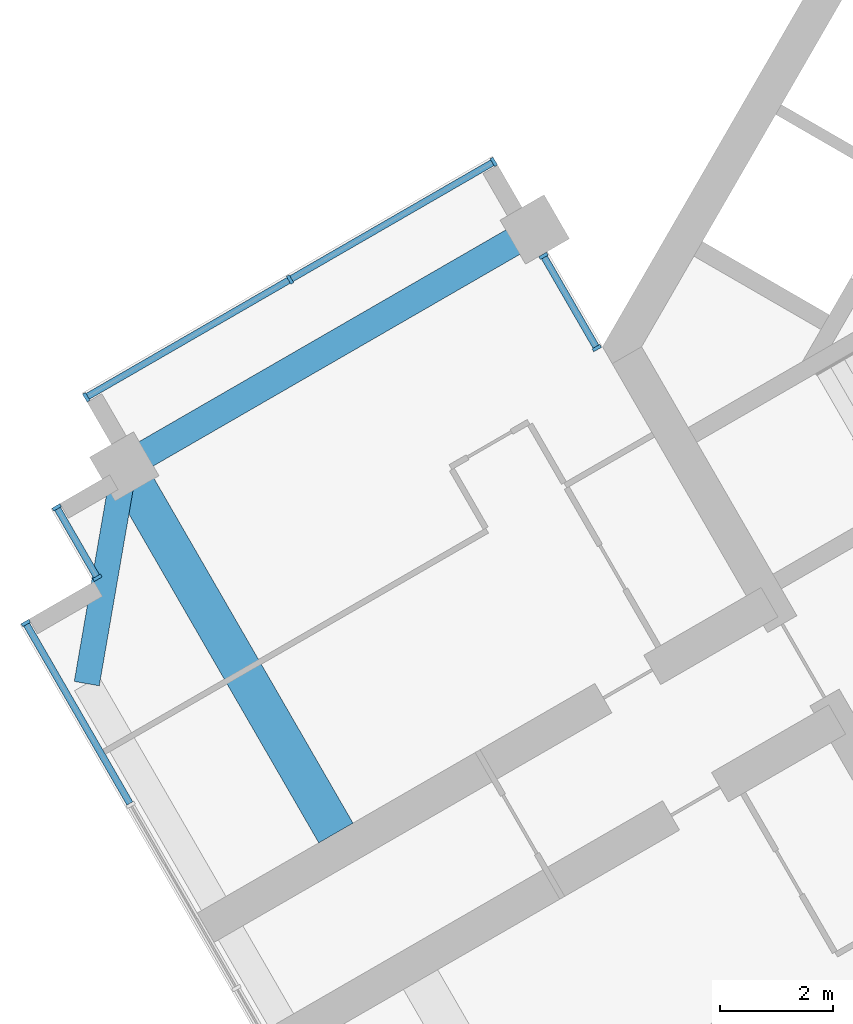
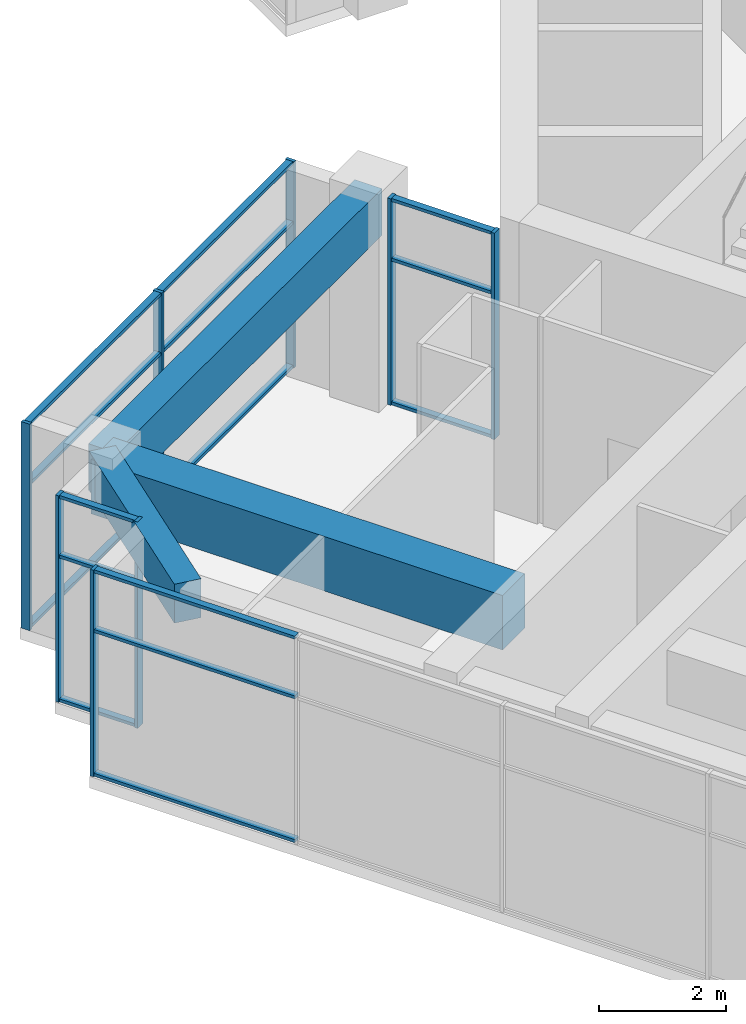
# One storey, part 3 of 13: 23 members, 3 beams, 4 elements without a shape of their own.
"""IFC4 building model written with IfcOpenShell, lengths in metres."""

from ifc_helpers import new_model, si_unit, direction, frame, origin, origin_2d, place, context, subcontext, project, spatial, rectangle, extrude, material, material_profile, profile_set, type_object, element, aggregate, save


model = new_model("IFC4")

# Units and contexts
model_context = context("Model", 3, precision=1e-05, world=origin(), true_north=direction((0.0, 1.0)))
body_context = subcontext(model_context, "Body", "Model", "MODEL_VIEW")
ifc_project = project(units=[si_unit("LENGTHUNIT", "METRE"), si_unit("AREAUNIT", "SQUARE_METRE"), si_unit("VOLUMEUNIT", "CUBIC_METRE"), si_unit("PLANEANGLEUNIT", "RADIAN"), si_unit("MASSUNIT", "GRAM", prefix="KILO")], contexts=[model_context])

# Site, building, storey
site_placement = place(None, origin())
site = spatial("IfcSite", under=ifc_project, at=site_placement, CompositionType="ELEMENT")
building_placement = place(site_placement, origin())
building = spatial("IfcBuilding", under=site, at=building_placement, Name="Impinga Residences", CompositionType="ELEMENT")
storey_placement = place(building_placement, frame((0.0, 0.0, 287.35009765625)))
storey = spatial("IfcBuildingStorey", under=building, at=storey_placement, Name="L72", CompositionType="ELEMENT", Elevation=287.35009765625)

# Beams
ifc_material_1 = material(Name="Concrete C60/75", Category="concrete")
ifc_material_profile_1 = material_profile(ifc_material_1, rectangle(XDim=0.449951171875, YDim=0.75, at=origin_2d()), Name="RC 450x750")
ifc_profile_set_1 = profile_set([ifc_material_profile_1], Name="Concrete C60/75")
beam_type_1 = type_object("IfcBeamType", Name="CB1 450x750 wing end cantilever beam", PredefinedType="BEAM", material=ifc_profile_set_1)
beam_1_placement = place(storey_placement, frame((-21.674560546875, -2.12158203125, 3.60498046875), z_axis=(-0.170296298948, -0.985392901621, 0.0), x_axis=(0.985392901621, -0.170296298948, 0.0)))
element("IfcBeam", 1, at=beam_1_placement, inside=storey, type_object=beam_type_1, Name="Beam CB1 WE W2-WX level L73", PredefinedType="BEAM", context=body_context, shape_type="SweptSolid", body=[
    extrude(rectangle(XDim=0.449951171875, YDim=0.75, at=origin_2d()), origin(), (0.0, 0.0, 1.0), 3.9052734375),
])
ifc_material_profile_2 = material_profile(ifc_material_1, rectangle(XDim=0.699951171875, YDim=1.050048828125, at=origin_2d()), Name="RC 700x1050")
ifc_profile_set_2 = profile_set([ifc_material_profile_2], Name="Concrete C60/75")
beam_type_2 = type_object("IfcBeamType", Name="CG1 700x1050 cross girder on a wing bay line", PredefinedType="BEAM", material=ifc_profile_set_2)
beam_2_placement = place(storey_placement, frame((-17.924560546875, -8.61669921875, 3.454833984375), z_axis=(-0.500004234368, 0.866022959057, 0.0), x_axis=(-0.866022959057, -0.500004234368, 0.0)))
element("IfcBeam", 2, at=beam_2_placement, inside=storey, type_object=beam_type_2, Name="Beam CG1 W2 WC/WF level L73", PredefinedType="BEAM", context=body_context, shape_type="SweptSolid", body=[
    extrude(rectangle(XDim=0.699951171875, YDim=1.050048828125, at=origin_2d()), origin(), (0.0, 0.0, 1.0), 7.5),
])

# Curtain wall, member
ifc_material_2 = material(Name="Aluminium stick curtain wall", Category="aluminium")
curtain_wall_type = type_object("IfcCurtainWallType", Name="CW3 penthouse curtain wall", PredefinedType="USERDEFINED", material=ifc_material_2)
curtain_wall_1_placement = place(storey_placement, origin())
curtain_wall_1 = element("IfcCurtainWall", 3, at=curtain_wall_1_placement, inside=storey, type_object=curtain_wall_type, Name="Curtain wall CW3 L72", ObjectType="STICK CURTAIN WALL", PredefinedType="USERDEFINED")
ifc_material_3 = material(Name="Aluminium mullion", Category="aluminium")
ifc_material_profile_3 = material_profile(ifc_material_3, rectangle(XDim=0.06005859375, YDim=0.159912109375, at=origin_2d()), Name="60x160 mullion")
ifc_profile_set_3 = profile_set([ifc_material_profile_3], Name="Aluminium mullion")
member_type_1 = type_object("IfcMemberType", Name="CW3-M mullion 60x160", PredefinedType="MULLION", material=ifc_profile_set_3)
member_1_placement = place(storey_placement, frame((-23.421142578125, -4.896484375, 0.0), z_axis=(0.0, 0.0, 1.0), x_axis=(-0.500000001632, 0.866025402842, 0.0)))
member_1 = element("IfcMember", 4, at=member_1_placement, type_object=member_type_1, Name="CW3 mullion 5", PredefinedType="MULLION", context=body_context, shape_type="SweptSolid", body=[
    extrude(rectangle(XDim=0.06005859375, YDim=0.159912109375, at=origin_2d()), origin(), (0.0, 0.0, 1.0), 3.97998046875),
])

# Curtain wall, members
curtain_wall_2_placement = place(storey_placement, origin())
curtain_wall_2 = element("IfcCurtainWall", 5, at=curtain_wall_2_placement, inside=storey, type_object=curtain_wall_type, Name="Curtain wall CW3 L72", ObjectType="STICK CURTAIN WALL", PredefinedType="USERDEFINED")
member_2_placement = place(storey_placement, frame((-22.152099609375, -4.094482421875, 0.0), z_axis=(0.0, 0.0, 1.0), x_axis=(-0.500000030502, 0.866025386174, 0.0)))
member_2 = element("IfcMember", 6, at=member_2_placement, type_object=member_type_1, Name="CW3 mullion 1", PredefinedType="MULLION", context=body_context, shape_type="SweptSolid", body=[
    extrude(rectangle(XDim=0.06005859375, YDim=0.159912109375, at=origin_2d()), origin(), (0.0, 0.0, 1.0), 3.97998046875),
])
member_3_placement = place(storey_placement, frame((-22.8720703125, -2.847412109375, 0.0), z_axis=(0.0, 0.0, 1.0), x_axis=(-0.500000030502, 0.866025386174, 0.0)))
member_3 = element("IfcMember", 7, at=member_3_placement, type_object=member_type_1, Name="CW3 mullion 2", PredefinedType="MULLION", context=body_context, shape_type="SweptSolid", body=[
    extrude(rectangle(XDim=0.06005859375, YDim=0.159912109375, at=origin_2d()), origin(), (0.0, 0.0, 1.0), 3.97998046875),
])

curtain_wall_3_placement = place(storey_placement, origin())
curtain_wall_3 = element("IfcCurtainWall", 8, at=curtain_wall_3_placement, inside=storey, type_object=curtain_wall_type, Name="Curtain wall CW3 L72", ObjectType="STICK CURTAIN WALL", PredefinedType="USERDEFINED")
member_4_placement = place(storey_placement, frame((-22.3486328125, -0.89404296875, 0.0), z_axis=(0.0, 0.0, 1.0), x_axis=(0.866025392126, 0.500000020194, 0.0)))
member_4 = element("IfcMember", 9, at=member_4_placement, type_object=member_type_1, Name="CW3 mullion 1", PredefinedType="MULLION", context=body_context, shape_type="SweptSolid", body=[
    extrude(rectangle(XDim=0.06005859375, YDim=0.159912109375, at=origin_2d()), origin(), (0.0, 0.0, 1.0), 3.97998046875),
])
member_5_placement = place(storey_placement, frame((-18.7373046875, 1.19091796875, 0.0), z_axis=(0.0, 0.0, 1.0), x_axis=(0.866025392126, 0.500000020194, 0.0)))
member_5 = element("IfcMember", 10, at=member_5_placement, type_object=member_type_1, Name="CW3 mullion 2", PredefinedType="MULLION", context=body_context, shape_type="SweptSolid", body=[
    extrude(rectangle(XDim=0.06005859375, YDim=0.159912109375, at=origin_2d()), origin(), (0.0, 0.0, 1.0), 3.97998046875),
])
member_6_placement = place(storey_placement, frame((-15.1259765625, 3.27587890625, 0.0), z_axis=(0.0, 0.0, 1.0), x_axis=(0.866025392126, 0.500000020194, 0.0)))
member_6 = element("IfcMember", 11, at=member_6_placement, type_object=member_type_1, Name="CW3 mullion 3", PredefinedType="MULLION", context=body_context, shape_type="SweptSolid", body=[
    extrude(rectangle(XDim=0.06005859375, YDim=0.159912109375, at=origin_2d()), origin(), (0.0, 0.0, 1.0), 3.97998046875),
])

curtain_wall_4_placement = place(storey_placement, origin())
curtain_wall_4 = element("IfcCurtainWall", 12, at=curtain_wall_4_placement, inside=storey, type_object=curtain_wall_type, Name="Curtain wall CW3 L72", ObjectType="STICK CURTAIN WALL", PredefinedType="USERDEFINED")
member_7_placement = place(storey_placement, frame((-14.2451171875, 1.610107421875, 0.0), z_axis=(0.0, 0.0, 1.0), x_axis=(0.50000010257, -0.866025344565, 0.0)))
member_7 = element("IfcMember", 13, at=member_7_placement, type_object=member_type_1, Name="CW3 mullion 1", PredefinedType="MULLION", context=body_context, shape_type="SweptSolid", body=[
    extrude(rectangle(XDim=0.06005859375, YDim=0.159912109375, at=origin_2d()), origin(), (0.0, 0.0, 1.0), 3.97998046875),
])
member_8_placement = place(storey_placement, frame((-13.301513671875, -0.02392578125, 0.0), z_axis=(0.0, 0.0, 1.0), x_axis=(0.50000010257, -0.866025344565, 0.0)))
member_8 = element("IfcMember", 14, at=member_8_placement, type_object=member_type_1, Name="CW3 mullion 2", PredefinedType="MULLION", context=body_context, shape_type="SweptSolid", body=[
    extrude(rectangle(XDim=0.06005859375, YDim=0.159912109375, at=origin_2d()), origin(), (0.0, 0.0, 1.0), 3.97998046875),
])

# Member
ifc_material_4 = material(Name="Aluminium transom", Category="aluminium")
ifc_material_profile_4 = material_profile(ifc_material_4, rectangle(XDim=0.06005859375, YDim=0.1201171875, at=origin_2d()), Name="60x120 transom")
ifc_profile_set_4 = profile_set([ifc_material_profile_4], Name="Aluminium transom")
member_type_2 = type_object("IfcMemberType", Name="CW3-T transom 60x120", PredefinedType="USERDEFINED", material=ifc_profile_set_4)
member_9_placement = place(storey_placement, frame((-21.576171875, -8.09228515625, 0.02978515625), z_axis=(-0.499963050397, 0.866046735597, 0.0), x_axis=(0.0, 0.0, 1.0)))
member_9 = element("IfcMember", 15, at=member_9_placement, type_object=member_type_2, Name="CW3 transom 4.1", ObjectType="TRANSOM", PredefinedType="USERDEFINED", context=body_context, shape_type="SweptSolid", body=[
    extrude(rectangle(XDim=0.06005859375, YDim=0.1201171875, at=origin_2d()), origin(), (0.0, 0.0, 1.0), 3.659912109375),
])

member_10_placement = place(storey_placement, frame((-21.576171875, -8.09228515625, 2.7998046875), z_axis=(-0.499963050397, 0.866046735597, 0.0), x_axis=(0.0, 0.0, 1.0)))
member_10 = element("IfcMember", 16, at=member_10_placement, type_object=member_type_2, Name="CW3 transom 4.2", ObjectType="TRANSOM", PredefinedType="USERDEFINED", context=body_context, shape_type="SweptSolid", body=[
    extrude(rectangle(XDim=0.06005859375, YDim=0.1201171875, at=origin_2d()), origin(), (0.0, 0.0, 1.0), 3.659912109375),
])

member_11_placement = place(storey_placement, frame((-21.576171875, -8.09228515625, 3.949951171875), z_axis=(-0.499963050397, 0.866046735597, 0.0), x_axis=(0.0, 0.0, 1.0)))
member_11 = element("IfcMember", 17, at=member_11_placement, type_object=member_type_2, Name="CW3 transom 4.3", ObjectType="TRANSOM", PredefinedType="USERDEFINED", context=body_context, shape_type="SweptSolid", body=[
    extrude(rectangle(XDim=0.06005859375, YDim=0.1201171875, at=origin_2d()), origin(), (0.0, 0.0, 1.0), 3.659912109375),
])

aggregate(curtain_wall_1, [member_1, member_9, member_10, member_11])

member_12_placement = place(storey_placement, frame((-22.1669921875, -4.068603515625, 0.02978515625), z_axis=(-0.499982807329, 0.86603532975, 0.0), x_axis=(0.0, 0.0, 1.0)))
member_12 = element("IfcMember", 18, at=member_12_placement, type_object=member_type_2, Name="CW3 transom 1.1", ObjectType="TRANSOM", PredefinedType="USERDEFINED", context=body_context, shape_type="SweptSolid", body=[
    extrude(rectangle(XDim=0.06005859375, YDim=0.1201171875, at=origin_2d()), origin(), (0.0, 0.0, 1.0), 1.3798828125),
])

member_13_placement = place(storey_placement, frame((-22.1669921875, -4.068603515625, 2.7998046875), z_axis=(-0.499982807329, 0.86603532975, 0.0), x_axis=(0.0, 0.0, 1.0)))
member_13 = element("IfcMember", 19, at=member_13_placement, type_object=member_type_2, Name="CW3 transom 1.2", ObjectType="TRANSOM", PredefinedType="USERDEFINED", context=body_context, shape_type="SweptSolid", body=[
    extrude(rectangle(XDim=0.06005859375, YDim=0.1201171875, at=origin_2d()), origin(), (0.0, 0.0, 1.0), 1.3798828125),
])

member_14_placement = place(storey_placement, frame((-22.1669921875, -4.068603515625, 3.949951171875), z_axis=(-0.499982807329, 0.86603532975, 0.0), x_axis=(0.0, 0.0, 1.0)))
member_14 = element("IfcMember", 20, at=member_14_placement, type_object=member_type_2, Name="CW3 transom 1.3", ObjectType="TRANSOM", PredefinedType="USERDEFINED", context=body_context, shape_type="SweptSolid", body=[
    extrude(rectangle(XDim=0.06005859375, YDim=0.1201171875, at=origin_2d()), origin(), (0.0, 0.0, 1.0), 1.3798828125),
])

aggregate(curtain_wall_2, [member_2, member_3, member_12, member_13, member_14])

member_15_placement = place(storey_placement, frame((-22.32275390625, -0.879150390625, 0.02978515625), z_axis=(0.866045128991, 0.499965833383, 0.0), x_axis=(0.0, 0.0, 1.0)))
member_15 = element("IfcMember", 21, at=member_15_placement, type_object=member_type_2, Name="CW3 transom 1.1", ObjectType="TRANSOM", PredefinedType="USERDEFINED", context=body_context, shape_type="SweptSolid", body=[
    extrude(rectangle(XDim=0.06005859375, YDim=0.1201171875, at=origin_2d()), origin(), (0.0, 0.0, 1.0), 4.110107421875),
])

member_16_placement = place(storey_placement, frame((-22.32275390625, -0.879150390625, 2.7998046875), z_axis=(0.866045128991, 0.499965833383, 0.0), x_axis=(0.0, 0.0, 1.0)))
member_16 = element("IfcMember", 22, at=member_16_placement, type_object=member_type_2, Name="CW3 transom 1.2", ObjectType="TRANSOM", PredefinedType="USERDEFINED", context=body_context, shape_type="SweptSolid", body=[
    extrude(rectangle(XDim=0.06005859375, YDim=0.1201171875, at=origin_2d()), origin(), (0.0, 0.0, 1.0), 4.110107421875),
])

member_17_placement = place(storey_placement, frame((-22.32275390625, -0.879150390625, 3.949951171875), z_axis=(0.866045128991, 0.499965833383, 0.0), x_axis=(0.0, 0.0, 1.0)))
member_17 = element("IfcMember", 23, at=member_17_placement, type_object=member_type_2, Name="CW3 transom 1.3", ObjectType="TRANSOM", PredefinedType="USERDEFINED", context=body_context, shape_type="SweptSolid", body=[
    extrude(rectangle(XDim=0.06005859375, YDim=0.1201171875, at=origin_2d()), origin(), (0.0, 0.0, 1.0), 4.110107421875),
])

member_18_placement = place(storey_placement, frame((-18.71142578125, 1.205810546875, 0.02978515625), z_axis=(0.866019409031, 0.500010383074, 0.0), x_axis=(0.0, 0.0, 1.0)))
member_18 = element("IfcMember", 24, at=member_18_placement, type_object=member_type_2, Name="CW3 transom 2.1", ObjectType="TRANSOM", PredefinedType="USERDEFINED", context=body_context, shape_type="SweptSolid", body=[
    extrude(rectangle(XDim=0.06005859375, YDim=0.1201171875, at=origin_2d()), origin(), (0.0, 0.0, 1.0), 4.1103515625),
])

member_19_placement = place(storey_placement, frame((-18.71142578125, 1.205810546875, 2.7998046875), z_axis=(0.866019409031, 0.500010383074, 0.0), x_axis=(0.0, 0.0, 1.0)))
member_19 = element("IfcMember", 25, at=member_19_placement, type_object=member_type_2, Name="CW3 transom 2.2", ObjectType="TRANSOM", PredefinedType="USERDEFINED", context=body_context, shape_type="SweptSolid", body=[
    extrude(rectangle(XDim=0.06005859375, YDim=0.1201171875, at=origin_2d()), origin(), (0.0, 0.0, 1.0), 4.1103515625),
])

member_20_placement = place(storey_placement, frame((-18.71142578125, 1.205810546875, 3.949951171875), z_axis=(0.866019409031, 0.500010383074, 0.0), x_axis=(0.0, 0.0, 1.0)))
member_20 = element("IfcMember", 26, at=member_20_placement, type_object=member_type_2, Name="CW3 transom 2.3", ObjectType="TRANSOM", PredefinedType="USERDEFINED", context=body_context, shape_type="SweptSolid", body=[
    extrude(rectangle(XDim=0.06005859375, YDim=0.1201171875, at=origin_2d()), origin(), (0.0, 0.0, 1.0), 4.1103515625),
])

aggregate(curtain_wall_3, [member_4, member_5, member_6, member_15, member_16, member_17, member_18, member_19, member_20])

member_21_placement = place(storey_placement, frame((-14.230224609375, 1.584228515625, 0.02978515625), z_axis=(0.500019332402, -0.866014241929, 0.0), x_axis=(0.0, 0.0, 1.0)))
member_21 = element("IfcMember", 27, at=member_21_placement, type_object=member_type_2, Name="CW3 transom 1.1", ObjectType="TRANSOM", PredefinedType="USERDEFINED", context=body_context, shape_type="SweptSolid", body=[
    extrude(rectangle(XDim=0.06005859375, YDim=0.1201171875, at=origin_2d()), origin(), (0.0, 0.0, 1.0), 1.8271484375),
])

member_22_placement = place(storey_placement, frame((-14.230224609375, 1.584228515625, 2.7998046875), z_axis=(0.500019332402, -0.866014241929, 0.0), x_axis=(0.0, 0.0, 1.0)))
member_22 = element("IfcMember", 28, at=member_22_placement, type_object=member_type_2, Name="CW3 transom 1.2", ObjectType="TRANSOM", PredefinedType="USERDEFINED", context=body_context, shape_type="SweptSolid", body=[
    extrude(rectangle(XDim=0.06005859375, YDim=0.1201171875, at=origin_2d()), origin(), (0.0, 0.0, 1.0), 1.8271484375),
])

member_23_placement = place(storey_placement, frame((-14.230224609375, 1.584228515625, 3.949951171875), z_axis=(0.500019332402, -0.866014241929, 0.0), x_axis=(0.0, 0.0, 1.0)))
member_23 = element("IfcMember", 29, at=member_23_placement, type_object=member_type_2, Name="CW3 transom 1.3", ObjectType="TRANSOM", PredefinedType="USERDEFINED", context=body_context, shape_type="SweptSolid", body=[
    extrude(rectangle(XDim=0.06005859375, YDim=0.1201171875, at=origin_2d()), origin(), (0.0, 0.0, 1.0), 1.8271484375),
])

aggregate(curtain_wall_4, [member_7, member_8, member_21, member_22, member_23])

# Beam
ifc_material_profile_5 = material_profile(ifc_material_1, rectangle(XDim=0.5, YDim=0.89990234375, at=origin_2d()), Name="RC 500x900")
ifc_profile_set_5 = profile_set([ifc_material_profile_5], Name="Concrete C60/75")
beam_type_3 = type_object("IfcBeamType", Name="SB1 500x900 perimeter spandrel beam", PredefinedType="SPANDREL", material=ifc_profile_set_5)
beam_3_placement = place(storey_placement, frame((-14.39990234375, 2.078369140625, 3.52978515625), z_axis=(-0.86602925447, -0.499993330357, 0.0), x_axis=(0.499993330357, -0.86602925447, 0.0)))
element("IfcBeam", 30, at=beam_3_placement, inside=storey, type_object=beam_type_3, Name="Beam SB1 WF W1-W2 level L73", PredefinedType="SPANDREL", context=body_context, shape_type="SweptSolid", body=[
    extrude(rectangle(XDim=0.5, YDim=0.89990234375, at=origin_2d()), origin(), (0.0, 0.0, 1.0), 8.39990234375),
])

save(model, "model.ifc")
